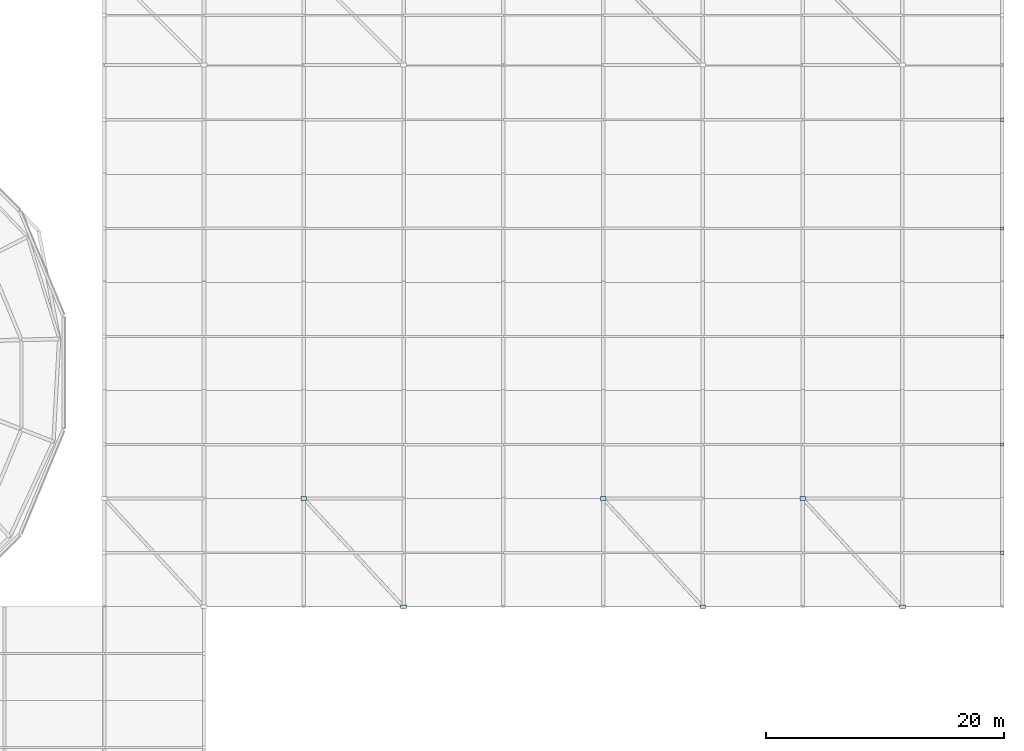
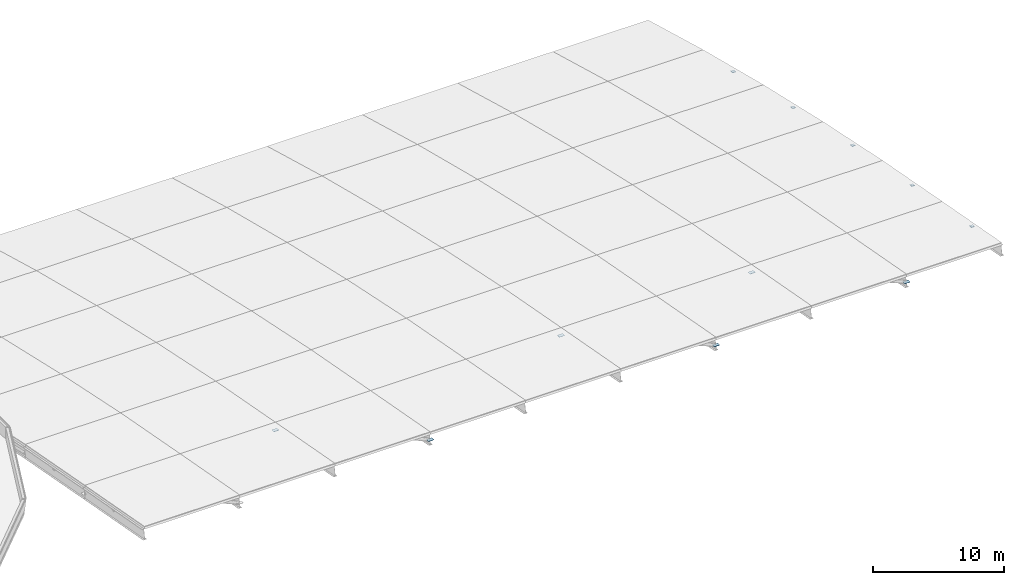
# One storey, part 8 of 12: 11 plates.
"""IFC4 building model written with IfcOpenShell, lengths in metres."""

from ifc_helpers import new_model, si_unit, derived_unit, direction, frame, origin, origin_2d, place, context, subcontext, project, spatial, rectangle, extrude, material, layer, layer_set, type_object, element, save


model = new_model("IFC4")

# Units and contexts
model_context = context("Model", 3, precision=1e-05, world=origin(), true_north=direction((0.0, 1.0)))
body_context = subcontext(model_context, "Body", "Model", "MODEL_VIEW")
ifc_project = project(units=[si_unit("LENGTHUNIT", "METRE"), si_unit("AREAUNIT", "SQUARE_METRE"), si_unit("VOLUMEUNIT", "CUBIC_METRE"), si_unit("PLANEANGLEUNIT", "RADIAN"), si_unit("MASSUNIT", "GRAM", prefix="KILO"), derived_unit("THERMALTRANSMITTANCEUNIT", [(si_unit("MASSUNIT", "GRAM", prefix="KILO"), 1), (si_unit("TIMEUNIT", "SECOND"), -3), (si_unit("THERMODYNAMICTEMPERATUREUNIT", "KELVIN"), -1)])], contexts=[model_context])

# Site, building, storey
site_placement = place(None, origin())
site = spatial("IfcSite", under=ifc_project, at=site_placement, CompositionType="ELEMENT")
building_placement = place(site_placement, origin())
building = spatial("IfcBuilding", under=site, at=building_placement, Name="Makaiwela Harbour Ferry Terminal", CompositionType="ELEMENT")
storey_placement = place(building_placement, frame((0.0, 0.0, 25.5)))
storey = spatial("IfcBuildingStorey", under=building, at=storey_placement, Name="ROOF", CompositionType="ELEMENT", Elevation=25.5)

# Plates
ifc_material = material(Name="Steel ASTM A572 Grade 50", Category="steel")
ifc_layer_1 = layer(ifc_material, 0.02001953125)
ifc_layer_set_1 = layer_set([ifc_layer_1], Name="Steel ASTM A572 Grade 50")
plate_type_1 = type_object("IfcPlateType", Name="STR-PLT-CAP1", PredefinedType="SHEET", material=ifc_layer_set_1)
for number, where, z_axis, x_axis, name in (
    (1, (138.60009765625, 90.39990234375, -9.17822265625), (0.0, 0.0, 1.0), (0.0, 1.0, 0.0), "Welded End Cap EC-0062"),
    (2, (138.60009765625, 81.25, -6.977294921875), (0.0, 0.0, 1.0), (0.0, 1.0, 0.0), "Welded End Cap EC-0064"),
    (3, (138.60009765625, 72.14990234375, -4.986328125), (0.0, 0.0, 1.0), (0.0, 1.0, 0.0), "Welded End Cap EC-0066"),
    (4, (138.60009765625, 63.050048828125, -3.185546875), (0.0, 0.0, 1.0), (0.0, 1.0, 0.0), "Welded End Cap EC-0068"),
    (5, (138.60009765625, 53.949951171875, -1.495361328125), (0.0, 0.0, 1.0), (0.0, 1.0, 0.0), "Welded End Cap EC-0070"),
):
    element("IfcPlate", number, at=place(storey_placement, frame(where, z_axis=z_axis, x_axis=x_axis)), inside=storey, type_object=plate_type_1, Name=name, PredefinedType="SHEET", context=body_context, shape_type="SweptSolid", body=[
        extrude(rectangle(XDim=0.280029296875, YDim=0.280029296875, at=origin_2d()), origin(), (0.0, 0.0, 1.0), 0.02001953125),
    ])
ifc_layer_2 = layer(ifc_material, 0.02001953125)
ifc_layer_set_2 = layer_set([ifc_layer_2], Name="Steel ASTM A572 Grade 50")
plate_type_2 = type_object("IfcPlateType", Name="STR-PLT-GUS2", PredefinedType="USERDEFINED", material=ifc_layer_set_2)
for number, where, z_axis, x_axis, name in (
    (6, (79.800048828125, 58.5, -2.681884765625), (0.0, 0.0, 1.0), (1.0, 0.0, 0.0), "Truss Gusset Plate GP-151"),
    (7, (88.199951171875, 49.39990234375, -1.001953125), (0.0, 0.0, 1.0), (1.0, 0.0, 0.0), "Truss Gusset Plate GP-152"),
    (8, (105.0, 58.5, -2.681884765625), (0.0, 0.0, 1.0), (1.0, 0.0, 0.0), "Truss Gusset Plate GP-155"),
    (9, (113.39990234375, 49.39990234375, -1.001953125), (0.0, 0.0, 1.0), (1.0, 0.0, 0.0), "Truss Gusset Plate GP-156"),
    (10, (121.800048828125, 58.5, -2.681884765625), (0.0, 0.0, 1.0), (1.0, 0.0, 0.0), "Truss Gusset Plate GP-159"),
    (11, (130.199951171875, 49.39990234375, -1.001953125), (0.0, 0.0, 1.0), (1.0, 0.0, 0.0), "Truss Gusset Plate GP-160"),
):
    element("IfcPlate", number, at=place(storey_placement, frame(where, z_axis=z_axis, x_axis=x_axis)), inside=storey, type_object=plate_type_2, Name=name, ObjectType="GUSSET PLATE", PredefinedType="USERDEFINED", context=body_context, shape_type="SweptSolid", body=[
        extrude(rectangle(XDim=0.47998046875, YDim=0.320068359375, at=origin_2d()), origin(), (0.0, 0.0, 1.0), 0.02001953125),
    ])

save(model, "model.ifc")
